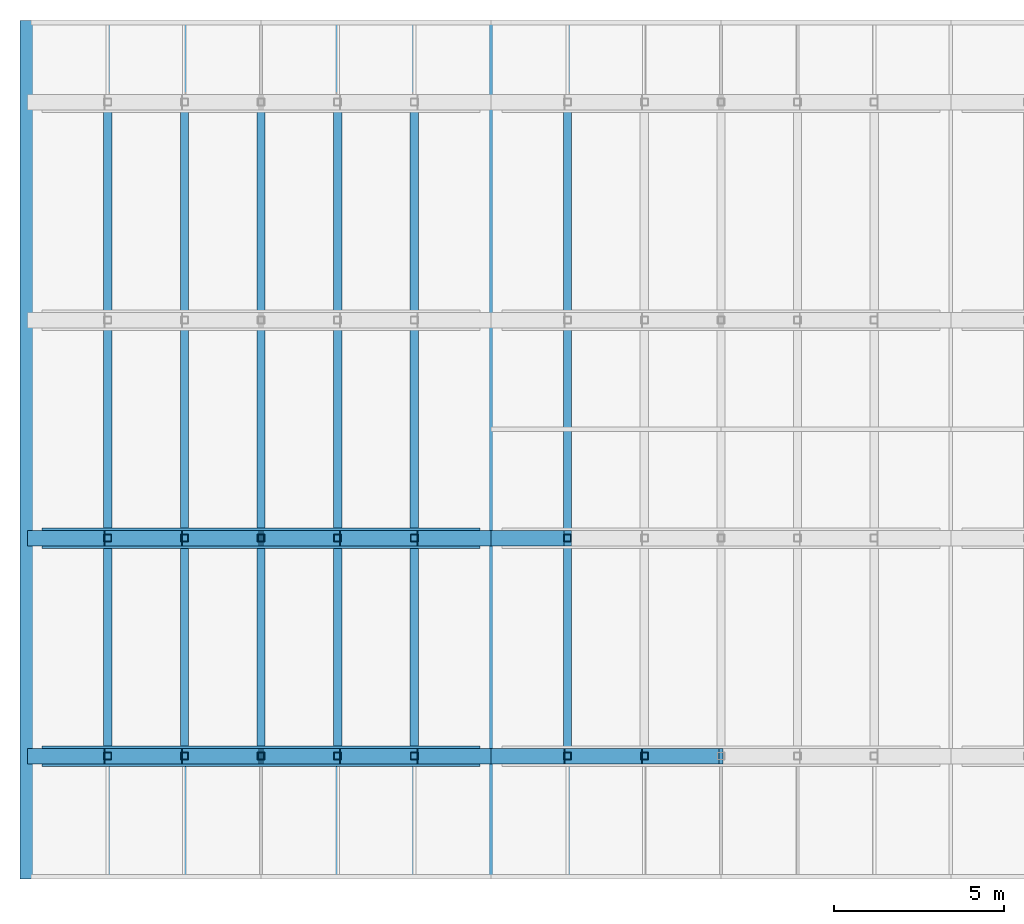
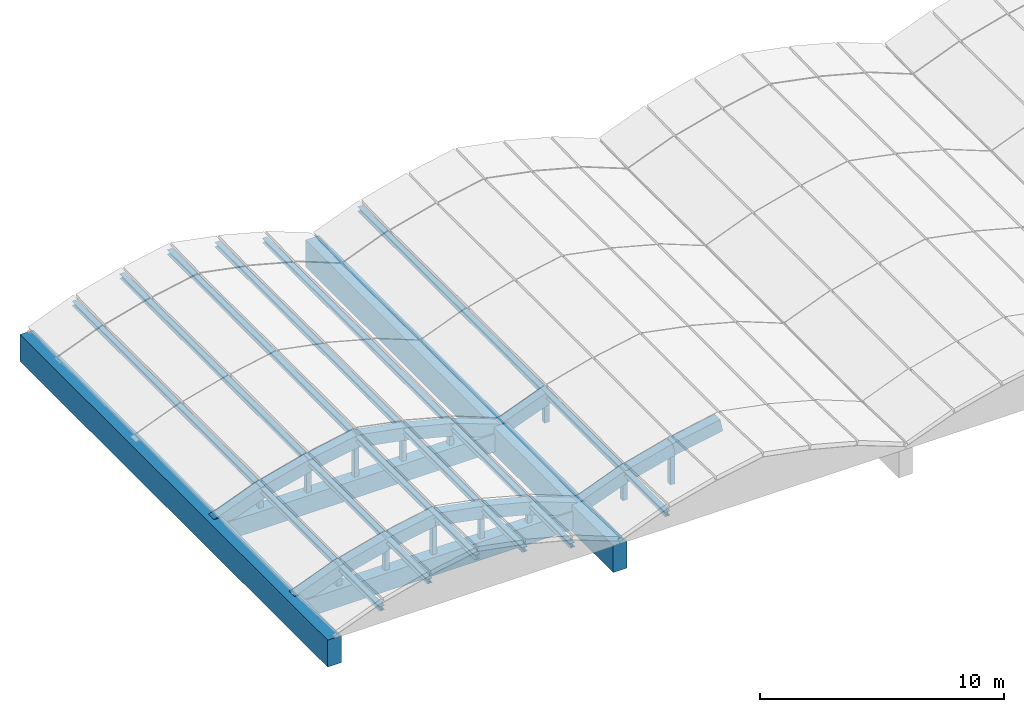
# One storey, part 1 of 15: 20 beams, 19 members.
"""IFC4 building model written with IfcOpenShell, lengths in metres."""

from ifc_helpers import new_model, si_unit, direction, frame, origin, origin_2d, place, context, subcontext, project, spatial, rectangle, hollow_rectangle, i_section, extrude, material, material_profile, profile_set, type_object, element, save


model = new_model("IFC4")

# Units and contexts
model_context = context("Model", 3, precision=1e-05, world=origin(), true_north=direction((0.0, 1.0)))
body_context = subcontext(model_context, "Body", "Model", "MODEL_VIEW")
ifc_project = project(units=[si_unit("LENGTHUNIT", "METRE"), si_unit("AREAUNIT", "SQUARE_METRE"), si_unit("VOLUMEUNIT", "CUBIC_METRE"), si_unit("PLANEANGLEUNIT", "RADIAN"), si_unit("MASSUNIT", "GRAM", prefix="KILO")], contexts=[model_context])

# Site, building, storey
site_placement = place(None, origin())
site = spatial("IfcSite", under=ifc_project, at=site_placement, CompositionType="ELEMENT")
building_placement = place(site_placement, origin())
building = spatial("IfcBuilding", under=site, at=building_placement, Name="Fikremerkos Civic Library", CompositionType="ELEMENT")
storey_placement = place(building_placement, frame((0.0, 0.0, 27.89990234375)))
storey = spatial("IfcBuildingStorey", under=building, at=storey_placement, Name="RF", CompositionType="ELEMENT", Elevation=27.89990234375)

# Members
ifc_material_1 = material(Name="Steel S355", Category="steel")
ifc_material_profile_1 = material_profile(ifc_material_1, hollow_rectangle(XDim=0.219970703125, YDim=0.219970703125, WallThickness=0.012451171875, at=origin_2d()), Name="SHS 220x220x12.5")
ifc_profile_set_1 = profile_set([ifc_material_profile_1], Name="Steel S355")
member_type_1 = type_object("IfcMemberType", Name="Frame post PST-04 SHS 220x220x12.5", PredefinedType="POST", material=ifc_profile_set_1)
member_1_placement = place(storey_placement, frame((21.449951171875, 12.0, -0.75), z_axis=(0.0, 0.0, 1.0), x_axis=(1.0, 0.0, 0.0)))
element("IfcMember", 1, at=member_1_placement, inside=storey, type_object=member_type_1, Name="Vault tied-arch web post PST-04 V1 R1.1", PredefinedType="POST", context=body_context, shape_type="SweptSolid", body=[
    extrude(hollow_rectangle(XDim=0.219970703125, YDim=0.219970703125, WallThickness=0.012451171875, at=origin_2d()), origin(), (0.0, 0.0, 1.0), 1.43603515625),
])
member_2_placement = place(storey_placement, frame((23.699951171875, 12.0, -0.75), z_axis=(0.0, 0.0, 1.0), x_axis=(1.0, 0.0, 0.0)))
element("IfcMember", 2, at=member_2_placement, inside=storey, type_object=member_type_1, Name="Vault tied-arch web post PST-04 V1 R1.2", PredefinedType="POST", context=body_context, shape_type="SweptSolid", body=[
    extrude(hollow_rectangle(XDim=0.219970703125, YDim=0.219970703125, WallThickness=0.012451171875, at=origin_2d()), origin(), (0.0, 0.0, 1.0), 2.01416015625),
])
member_3_placement = place(storey_placement, frame((25.949951171875, 12.0, -0.75), z_axis=(0.0, 0.0, 1.0), x_axis=(1.0, 0.0, 0.0)))
element("IfcMember", 3, at=member_3_placement, inside=storey, type_object=member_type_1, Name="Vault tied-arch web post PST-04 V1 R1.3", PredefinedType="POST", context=body_context, shape_type="SweptSolid", body=[
    extrude(hollow_rectangle(XDim=0.219970703125, YDim=0.219970703125, WallThickness=0.012451171875, at=origin_2d()), origin(), (0.0, 0.0, 1.0), 2.43408203125),
])
member_4_placement = place(storey_placement, frame((28.199951171875, 12.0, -0.75), z_axis=(0.0, 0.0, 1.0), x_axis=(1.0, 0.0, 0.0)))
element("IfcMember", 4, at=member_4_placement, inside=storey, type_object=member_type_1, Name="Vault tied-arch web post PST-04 V1 R1.4", PredefinedType="POST", context=body_context, shape_type="SweptSolid", body=[
    extrude(hollow_rectangle(XDim=0.219970703125, YDim=0.219970703125, WallThickness=0.012451171875, at=origin_2d()), origin(), (0.0, 0.0, 1.0), 2.01416015625),
])
member_5_placement = place(storey_placement, frame((30.449951171875, 12.0, -0.75), z_axis=(0.0, 0.0, 1.0), x_axis=(1.0, 0.0, 0.0)))
element("IfcMember", 5, at=member_5_placement, inside=storey, type_object=member_type_1, Name="Vault tied-arch web post PST-04 V1 R1.5", PredefinedType="POST", context=body_context, shape_type="SweptSolid", body=[
    extrude(hollow_rectangle(XDim=0.219970703125, YDim=0.219970703125, WallThickness=0.012451171875, at=origin_2d()), origin(), (0.0, 0.0, 1.0), 1.43603515625),
])
member_6_placement = place(storey_placement, frame((21.449951171875, 18.39990234375, -0.75), z_axis=(0.0, 0.0, 1.0), x_axis=(1.0, 0.0, 0.0)))
element("IfcMember", 6, at=member_6_placement, inside=storey, type_object=member_type_1, Name="Vault tied-arch web post PST-04 V1 R2.1", PredefinedType="POST", context=body_context, shape_type="SweptSolid", body=[
    extrude(hollow_rectangle(XDim=0.219970703125, YDim=0.219970703125, WallThickness=0.012451171875, at=origin_2d()), origin(), (0.0, 0.0, 1.0), 1.47607421875),
])
member_7_placement = place(storey_placement, frame((23.699951171875, 18.39990234375, -0.75), z_axis=(0.0, 0.0, 1.0), x_axis=(1.0, 0.0, 0.0)))
element("IfcMember", 7, at=member_7_placement, inside=storey, type_object=member_type_1, Name="Vault tied-arch web post PST-04 V1 R2.2", PredefinedType="POST", context=body_context, shape_type="SweptSolid", body=[
    extrude(hollow_rectangle(XDim=0.219970703125, YDim=0.219970703125, WallThickness=0.012451171875, at=origin_2d()), origin(), (0.0, 0.0, 1.0), 2.05419921875),
])
member_8_placement = place(storey_placement, frame((25.949951171875, 18.39990234375, -0.75), z_axis=(0.0, 0.0, 1.0), x_axis=(1.0, 0.0, 0.0)))
element("IfcMember", 8, at=member_8_placement, inside=storey, type_object=member_type_1, Name="Vault tied-arch web post PST-04 V1 R2.3", PredefinedType="POST", context=body_context, shape_type="SweptSolid", body=[
    extrude(hollow_rectangle(XDim=0.219970703125, YDim=0.219970703125, WallThickness=0.012451171875, at=origin_2d()), origin(), (0.0, 0.0, 1.0), 2.47412109375),
])
member_9_placement = place(storey_placement, frame((28.199951171875, 18.39990234375, -0.75), z_axis=(0.0, 0.0, 1.0), x_axis=(1.0, 0.0, 0.0)))
element("IfcMember", 9, at=member_9_placement, inside=storey, type_object=member_type_1, Name="Vault tied-arch web post PST-04 V1 R2.4", PredefinedType="POST", context=body_context, shape_type="SweptSolid", body=[
    extrude(hollow_rectangle(XDim=0.219970703125, YDim=0.219970703125, WallThickness=0.012451171875, at=origin_2d()), origin(), (0.0, 0.0, 1.0), 2.05419921875),
])
member_10_placement = place(storey_placement, frame((30.449951171875, 18.39990234375, -0.75), z_axis=(0.0, 0.0, 1.0), x_axis=(1.0, 0.0, 0.0)))
element("IfcMember", 10, at=member_10_placement, inside=storey, type_object=member_type_1, Name="Vault tied-arch web post PST-04 V1 R2.5", PredefinedType="POST", context=body_context, shape_type="SweptSolid", body=[
    extrude(hollow_rectangle(XDim=0.219970703125, YDim=0.219970703125, WallThickness=0.012451171875, at=origin_2d()), origin(), (0.0, 0.0, 1.0), 1.47607421875),
])
member_11_placement = place(storey_placement, frame((34.949951171875, 12.0, -0.75), z_axis=(0.0, 0.0, 1.0), x_axis=(1.0, 0.0, 0.0)))
element("IfcMember", 11, at=member_11_placement, inside=storey, type_object=member_type_1, Name="Vault tied-arch web post PST-04 V2 R1.1", PredefinedType="POST", context=body_context, shape_type="SweptSolid", body=[
    extrude(hollow_rectangle(XDim=0.219970703125, YDim=0.219970703125, WallThickness=0.012451171875, at=origin_2d()), origin(), (0.0, 0.0, 1.0), 1.43603515625),
])
member_12_placement = place(storey_placement, frame((37.199951171875, 12.0, -0.75), z_axis=(0.0, 0.0, 1.0), x_axis=(1.0, 0.0, 0.0)))
element("IfcMember", 12, at=member_12_placement, inside=storey, type_object=member_type_1, Name="Vault tied-arch web post PST-04 V2 R1.2", PredefinedType="POST", context=body_context, shape_type="SweptSolid", body=[
    extrude(hollow_rectangle(XDim=0.219970703125, YDim=0.219970703125, WallThickness=0.012451171875, at=origin_2d()), origin(), (0.0, 0.0, 1.0), 2.01416015625),
])
member_13_placement = place(storey_placement, frame((34.949951171875, 18.39990234375, -0.75), z_axis=(0.0, 0.0, 1.0), x_axis=(1.0, 0.0, 0.0)))
element("IfcMember", 13, at=member_13_placement, inside=storey, type_object=member_type_1, Name="Vault tied-arch web post PST-04 V2 R2.1", PredefinedType="POST", context=body_context, shape_type="SweptSolid", body=[
    extrude(hollow_rectangle(XDim=0.219970703125, YDim=0.219970703125, WallThickness=0.012451171875, at=origin_2d()), origin(), (0.0, 0.0, 1.0), 1.47607421875),
])

# Beams
ifc_material_2 = material(Name="Concrete C45/55", Category="concrete")
ifc_material_profile_2 = material_profile(ifc_material_2, rectangle(XDim=0.449951171875, YDim=0.6201171875, at=origin_2d()), Name="RC 450x620")
ifc_profile_set_2 = profile_set([ifc_material_profile_2], Name="Concrete C45/55")
beam_type_1 = type_object("IfcBeamType", Name="Primary girder vault arch rib BM-10 RC 450x620", PredefinedType="BEAM", material=ifc_profile_set_2)
beam_1_placement = place(storey_placement, frame((19.199951171875, 12.0, -0.349853515625), z_axis=(0.936028311828, 0.0, 0.351924707084), x_axis=(0.0, 1.0, 0.0)))
element("IfcBeam", 14, at=beam_1_placement, inside=storey, type_object=beam_type_1, Name="Concrete vault arch rib BM-10 V1 R1.1", PredefinedType="BEAM", context=body_context, shape_type="SweptSolid", body=[
    extrude(rectangle(XDim=0.449951171875, YDim=0.6201171875, at=origin_2d()), origin(), (0.0, 0.0, 1.0), 2.40380859375),
])
beam_2_placement = place(storey_placement, frame((21.449951171875, 12.0, 0.49609375), z_axis=(0.968539266286, 0.0, 0.248860783698), x_axis=(0.0, 1.0, 0.0)))
element("IfcBeam", 15, at=beam_2_placement, inside=storey, type_object=beam_type_1, Name="Concrete vault arch rib BM-10 V1 R1.2", PredefinedType="BEAM", context=body_context, shape_type="SweptSolid", body=[
    extrude(rectangle(XDim=0.449951171875, YDim=0.6201171875, at=origin_2d()), origin(), (0.0, 0.0, 1.0), 2.322998046875),
])
for number, where, z_axis, x_axis, name in (
    (16, (23.699951171875, 12.0, 1.07421875), (0.983026405145, 0.0, 0.183464129432), (0.0, 1.0, 0.0), "Concrete vault arch rib BM-10 V1 R1.3"),
    (17, (25.949951171875, 12.0, 1.494140625), (0.983026405145, 0.0, -0.183464129432), (0.0, 1.0, 0.0), "Concrete vault arch rib BM-10 V1 R1.4"),
):
    element("IfcBeam", number, at=place(storey_placement, frame(where, z_axis=z_axis, x_axis=x_axis)), inside=storey, type_object=beam_type_1, Name=name, PredefinedType="BEAM", context=body_context, shape_type="SweptSolid", body=[
        extrude(rectangle(XDim=0.449951171875, YDim=0.6201171875, at=origin_2d()), origin(), (0.0, 0.0, 1.0), 2.288818359375),
    ])
beam_3_placement = place(storey_placement, frame((28.199951171875, 12.0, 1.07421875), z_axis=(0.968539266286, 0.0, -0.248860783698), x_axis=(0.0, 1.0, 0.0)))
element("IfcBeam", 18, at=beam_3_placement, inside=storey, type_object=beam_type_1, Name="Concrete vault arch rib BM-10 V1 R1.5", PredefinedType="BEAM", context=body_context, shape_type="SweptSolid", body=[
    extrude(rectangle(XDim=0.449951171875, YDim=0.6201171875, at=origin_2d()), origin(), (0.0, 0.0, 1.0), 2.322998046875),
])
for number, where, z_axis, x_axis, name in (
    (19, (30.449951171875, 12.0, 0.49609375), (0.936028311828, 0.0, -0.351924707084), (0.0, 1.0, 0.0), "Concrete vault arch rib BM-10 V1 R1.6"),
    (20, (19.199951171875, 18.39990234375, -0.309814453125), (0.936028311828, 0.0, 0.351924707084), (0.0, 1.0, 0.0), "Concrete vault arch rib BM-10 V1 R2.1"),
):
    element("IfcBeam", number, at=place(storey_placement, frame(where, z_axis=z_axis, x_axis=x_axis)), inside=storey, type_object=beam_type_1, Name=name, PredefinedType="BEAM", context=body_context, shape_type="SweptSolid", body=[
        extrude(rectangle(XDim=0.449951171875, YDim=0.6201171875, at=origin_2d()), origin(), (0.0, 0.0, 1.0), 2.40380859375),
    ])
beam_4_placement = place(storey_placement, frame((21.449951171875, 18.39990234375, 0.5361328125), z_axis=(0.968564592705, 0.0, 0.248762195197), x_axis=(0.0, 1.0, 0.0)))
element("IfcBeam", 21, at=beam_4_placement, inside=storey, type_object=beam_type_1, Name="Concrete vault arch rib BM-10 V1 R2.2", PredefinedType="BEAM", context=body_context, shape_type="SweptSolid", body=[
    extrude(rectangle(XDim=0.449951171875, YDim=0.6201171875, at=origin_2d()), origin(), (0.0, 0.0, 1.0), 2.322998046875),
])
for number, where, z_axis, x_axis, name in (
    (22, (23.699951171875, 18.39990234375, 1.114013671875), (0.983007163041, 0.0, 0.183567201345), (0.0, 1.0, 0.0), "Concrete vault arch rib BM-10 V1 R2.3"),
    (23, (25.949951171875, 18.39990234375, 1.5341796875), (0.983007163041, 0.0, -0.183567201345), (0.0, 1.0, 0.0), "Concrete vault arch rib BM-10 V1 R2.4"),
):
    element("IfcBeam", number, at=place(storey_placement, frame(where, z_axis=z_axis, x_axis=x_axis)), inside=storey, type_object=beam_type_1, Name=name, PredefinedType="BEAM", context=body_context, shape_type="SweptSolid", body=[
        extrude(rectangle(XDim=0.449951171875, YDim=0.6201171875, at=origin_2d()), origin(), (0.0, 0.0, 1.0), 2.288818359375),
    ])
beam_5_placement = place(storey_placement, frame((28.199951171875, 18.39990234375, 1.114013671875), z_axis=(0.968564592705, 0.0, -0.248762195197), x_axis=(0.0, 1.0, 0.0)))
element("IfcBeam", 24, at=beam_5_placement, inside=storey, type_object=beam_type_1, Name="Concrete vault arch rib BM-10 V1 R2.5", PredefinedType="BEAM", context=body_context, shape_type="SweptSolid", body=[
    extrude(rectangle(XDim=0.449951171875, YDim=0.6201171875, at=origin_2d()), origin(), (0.0, 0.0, 1.0), 2.322998046875),
])
for number, where, z_axis, x_axis, name in (
    (25, (30.449951171875, 18.39990234375, 0.5361328125), (0.936028311828, 0.0, -0.351924707084), (0.0, 1.0, 0.0), "Concrete vault arch rib BM-10 V1 R2.6"),
    (26, (32.699951171875, 12.0, -0.349853515625), (0.936028311828, 0.0, 0.351924707084), (0.0, 1.0, 0.0), "Concrete vault arch rib BM-10 V2 R1.1"),
):
    element("IfcBeam", number, at=place(storey_placement, frame(where, z_axis=z_axis, x_axis=x_axis)), inside=storey, type_object=beam_type_1, Name=name, PredefinedType="BEAM", context=body_context, shape_type="SweptSolid", body=[
        extrude(rectangle(XDim=0.449951171875, YDim=0.6201171875, at=origin_2d()), origin(), (0.0, 0.0, 1.0), 2.40380859375),
    ])
beam_6_placement = place(storey_placement, frame((34.949951171875, 12.0, 0.49609375), z_axis=(0.968539266286, 0.0, 0.248860783698), x_axis=(0.0, 1.0, 0.0)))
element("IfcBeam", 27, at=beam_6_placement, inside=storey, type_object=beam_type_1, Name="Concrete vault arch rib BM-10 V2 R1.2", PredefinedType="BEAM", context=body_context, shape_type="SweptSolid", body=[
    extrude(rectangle(XDim=0.449951171875, YDim=0.6201171875, at=origin_2d()), origin(), (0.0, 0.0, 1.0), 2.322998046875),
])
beam_7_placement = place(storey_placement, frame((37.199951171875, 12.0, 1.07421875), z_axis=(0.983026405145, 0.0, 0.183464129432), x_axis=(0.0, 1.0, 0.0)))
element("IfcBeam", 28, at=beam_7_placement, inside=storey, type_object=beam_type_1, Name="Concrete vault arch rib BM-10 V2 R1.3", PredefinedType="BEAM", context=body_context, shape_type="SweptSolid", body=[
    extrude(rectangle(XDim=0.449951171875, YDim=0.6201171875, at=origin_2d()), origin(), (0.0, 0.0, 1.0), 2.288818359375),
])
beam_8_placement = place(storey_placement, frame((32.699951171875, 18.39990234375, -0.309814453125), z_axis=(0.936028311828, 0.0, 0.351924707084), x_axis=(0.0, 1.0, 0.0)))
element("IfcBeam", 29, at=beam_8_placement, inside=storey, type_object=beam_type_1, Name="Concrete vault arch rib BM-10 V2 R2.1", PredefinedType="BEAM", context=body_context, shape_type="SweptSolid", body=[
    extrude(rectangle(XDim=0.449951171875, YDim=0.6201171875, at=origin_2d()), origin(), (0.0, 0.0, 1.0), 2.40380859375),
])
ifc_material_profile_3 = material_profile(ifc_material_2, rectangle(XDim=0.60009765625, YDim=0.89990234375, at=origin_2d()), Name="RC 600x900")
ifc_profile_set_3 = profile_set([ifc_material_profile_3], Name="Concrete C45/55")
beam_type_2 = type_object("IfcBeamType", Name="Primary girder vault tie ring BM-09 RC 600x900", PredefinedType="BEAM", material=ifc_profile_set_3)
for number, where, z_axis, x_axis, name in (
    (30, (19.52490234375, 12.0, -0.75), (1.0, 0.0, 0.0), (0.0, 1.0, 0.0), "Vault springing tie ring beam BM-09 V1 #1"),
    (31, (19.52490234375, 18.39990234375, -0.75), (1.0, 0.0, 0.0), (0.0, 1.0, 0.0), "Vault springing tie ring beam BM-09 V1 #2"),
):
    element("IfcBeam", number, at=place(storey_placement, frame(where, z_axis=z_axis, x_axis=x_axis)), inside=storey, type_object=beam_type_2, Name=name, PredefinedType="BEAM", context=body_context, shape_type="SweptSolid", body=[
        extrude(rectangle(XDim=0.60009765625, YDim=0.89990234375, at=origin_2d()), origin(), (0.0, 0.0, 1.0), 12.85009765625),
    ])

# Members
ifc_material_profile_4 = material_profile(ifc_material_1, i_section(OverallWidth=0.239990234375, OverallDepth=0.22998046875, WebThickness=0.007568359375, FlangeThickness=0.011962890625, FilletRadius=0.02099609375, at=origin_2d()), Name="HEA 240")
ifc_profile_set_4 = profile_set([ifc_material_profile_4], Name="Steel S355")
member_type_2 = type_object("IfcMemberType", Name="Roof purlin PUR-06 HEA 240", PredefinedType="PURLIN", material=ifc_profile_set_4)
for number, where, z_axis, x_axis, name in (
    (32, (21.449951171875, 8.39990234375, 0.691162109375), (0.0, 1.0, 0.0), (-1.0, 0.0, 0.0), "Vault fold-line purlin PUR-06 V1 #1"),
    (33, (23.699951171875, 8.39990234375, 1.26904296875), (0.0, 1.0, 0.0), (-1.0, 0.0, 0.0), "Vault fold-line purlin PUR-06 V1 #2"),
    (34, (25.949951171875, 8.39990234375, 1.689208984375), (0.0, 1.0, 0.0), (-1.0, 0.0, 0.0), "Vault fold-line purlin PUR-06 V1 #3"),
    (35, (28.199951171875, 8.39990234375, 1.26904296875), (0.0, 1.0, 0.0), (-1.0, 0.0, 0.0), "Vault fold-line purlin PUR-06 V1 #4"),
    (36, (30.449951171875, 8.39990234375, 0.691162109375), (0.0, 1.0, 0.0), (-1.0, 0.0, 0.0), "Vault fold-line purlin PUR-06 V1 #5"),
    (37, (34.949951171875, 8.39990234375, 0.691162109375), (0.0, 1.0, 0.0), (-1.0, 0.0, 0.0), "Vault fold-line purlin PUR-06 V2 #1"),
):
    element("IfcMember", number, at=place(storey_placement, frame(where, z_axis=z_axis, x_axis=x_axis)), inside=storey, type_object=member_type_2, Name=name, PredefinedType="PURLIN", context=body_context, shape_type="SweptSolid", body=[
        extrude(i_section(OverallWidth=0.239990234375, OverallDepth=0.22998046875, WebThickness=0.007568359375, FlangeThickness=0.011962890625, FilletRadius=0.02099609375, at=origin_2d()), origin(), (0.0, 0.0, 1.0), 25.2001953125),
    ])

# Beams
ifc_material_profile_5 = material_profile(ifc_material_2, rectangle(XDim=0.64990234375, YDim=1.35009765625, at=origin_2d()), Name="RC 650x1350")
ifc_profile_set_5 = profile_set([ifc_material_profile_5], Name="Concrete C45/55")
beam_type_3 = type_object("IfcBeamType", Name="Spandrel edge beam valley SPB-01 RC 650x1350", PredefinedType="SPANDREL", material=ifc_profile_set_5)
for number, where, z_axis, x_axis, name in (
    (38, (19.199951171875, 8.39990234375, -0.6748046875), (0.0, 1.0, 0.0), (-1.0, 0.0, 0.0), "Reading hall concrete valley edge beam SPB-01 #1"),
    (39, (32.699951171875, 8.39990234375, -0.6748046875), (0.0, 1.0, 0.0), (-1.0, 0.0, 0.0), "Reading hall concrete valley edge beam SPB-01 #2"),
):
    element("IfcBeam", number, at=place(storey_placement, frame(where, z_axis=z_axis, x_axis=x_axis)), inside=storey, type_object=beam_type_3, Name=name, PredefinedType="SPANDREL", context=body_context, shape_type="SweptSolid", body=[
        extrude(rectangle(XDim=0.64990234375, YDim=1.35009765625, at=origin_2d()), origin(), (0.0, 0.0, 1.0), 25.2001953125),
    ])

save(model, "model.ifc")
